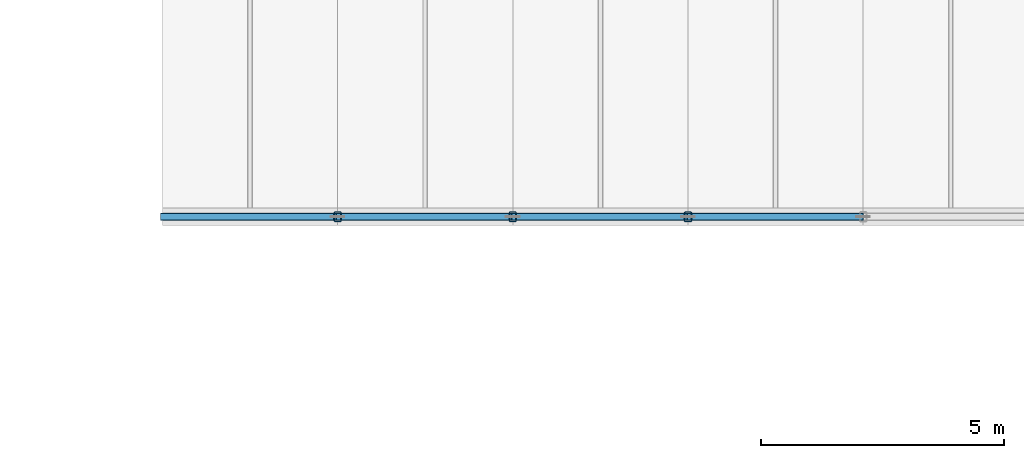
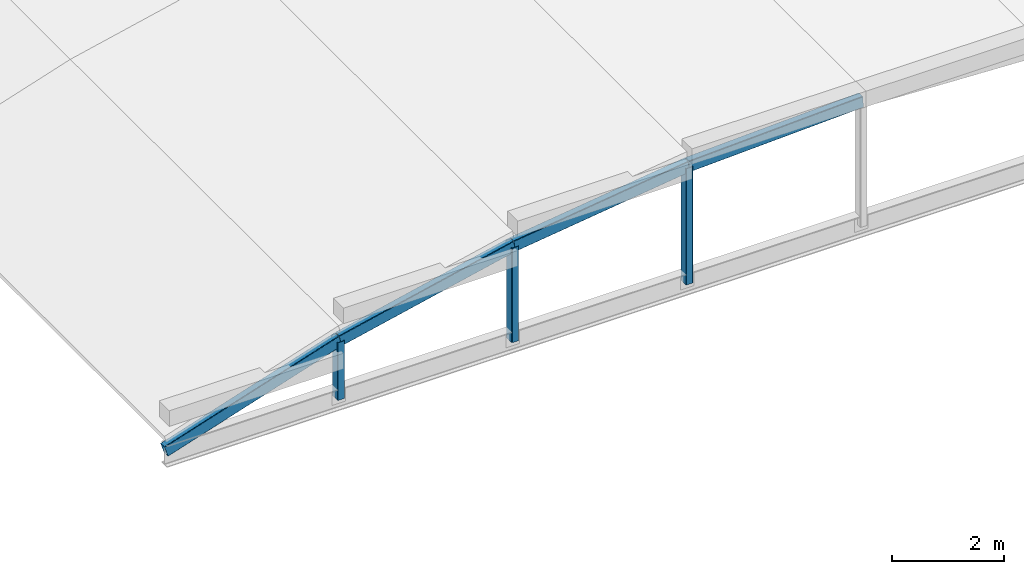
# One storey, part 6 of 70: 7 members.
"""IFC4 building model written with IfcOpenShell, lengths in metres."""

from ifc_helpers import new_model, si_unit, direction, frame, origin, origin_2d, place, context, subcontext, project, spatial, hollow_rectangle, extrude, material, material_profile, profile_set, type_object, element, save


model = new_model("IFC4")

# Units and contexts
model_context = context("Model", 3, precision=1e-05, world=origin(), true_north=direction((0.0, 1.0)))
body_context = subcontext(model_context, "Body", "Model", "MODEL_VIEW")
ifc_project = project(units=[si_unit("LENGTHUNIT", "METRE"), si_unit("AREAUNIT", "SQUARE_METRE"), si_unit("VOLUMEUNIT", "CUBIC_METRE"), si_unit("PLANEANGLEUNIT", "RADIAN"), si_unit("MASSUNIT", "GRAM", prefix="KILO")], contexts=[model_context])

# Site, building, storey
site_placement = place(None, origin())
site = spatial("IfcSite", under=ifc_project, at=site_placement, CompositionType="ELEMENT")
building_placement = place(site_placement, origin())
building = spatial("IfcBuilding", under=site, at=building_placement, Name="Mavantir Sound Aquarium", CompositionType="ELEMENT")
storey_placement = place(building_placement, frame((0.0, 0.0, 27.0)))
storey = spatial("IfcBuildingStorey", under=building, at=storey_placement, Name="RF", CompositionType="ELEMENT", Elevation=27.0)

# Members
ifc_material = material(Name="Hollow Structural Steel ASTM A500 GrC", Category="steel")
ifc_material_profile_1 = material_profile(ifc_material, hollow_rectangle(XDim=0.14990234375, YDim=0.25, WallThickness=0.010009765625, InnerFilletRadius=0.010009765625, OuterFilletRadius=0.02001953125, at=origin_2d()), Name="RHS 250X150X10")
ifc_profile_set_1 = profile_set([ifc_material_profile_1], Name="Hollow Structural Steel ASTM A500 GrC")
member_type_1 = type_object("IfcMemberType", Name="MEM-AR-RHS250", PredefinedType="CHORD", material=ifc_profile_set_1)
member_1_placement = place(storey_placement, frame((67.199951171875, 14.39990234375, -16.6298828125), z_axis=(0.951949270462, 0.0, 0.306255753362), x_axis=(0.0, 1.0, 0.0)))
element("IfcMember", 1, at=member_1_placement, inside=storey, type_object=member_type_1, Name="V7 entry vault arch rib 50", PredefinedType="CHORD", context=body_context, shape_type="SweptSolid", body=[
    extrude(hollow_rectangle(XDim=0.14990234375, YDim=0.25, WallThickness=0.010009765625, InnerFilletRadius=0.010009765625, OuterFilletRadius=0.02001953125, at=origin_2d()), origin(), (0.0, 0.0, 1.0), 3.78173828125),
])
member_2_placement = place(storey_placement, frame((70.800048828125, 14.39990234375, -15.4716796875), z_axis=(0.975760104728, 0.0, 0.218842907178), x_axis=(0.0, 1.0, 0.0)))
element("IfcMember", 2, at=member_2_placement, inside=storey, type_object=member_type_1, Name="V7 entry vault arch rib 51", PredefinedType="CHORD", context=body_context, shape_type="SweptSolid", body=[
    extrude(hollow_rectangle(XDim=0.14990234375, YDim=0.25, WallThickness=0.010009765625, InnerFilletRadius=0.010009765625, OuterFilletRadius=0.02001953125, at=origin_2d()), origin(), (0.0, 0.0, 1.0), 3.689208984375),
])
member_3_placement = place(storey_placement, frame((74.39990234375, 14.39990234375, -14.664306640625), z_axis=(0.991351936589, 0.0, 0.131230094956), x_axis=(0.0, 1.0, 0.0)))
element("IfcMember", 3, at=member_3_placement, inside=storey, type_object=member_type_1, Name="V7 entry vault arch rib 53", PredefinedType="CHORD", context=body_context, shape_type="SweptSolid", body=[
    extrude(hollow_rectangle(XDim=0.14990234375, YDim=0.25, WallThickness=0.010009765625, InnerFilletRadius=0.010009765625, OuterFilletRadius=0.02001953125, at=origin_2d()), origin(), (0.0, 0.0, 1.0), 3.631591796875),
])
member_4_placement = place(storey_placement, frame((78.0, 14.39990234375, -14.187744140625), z_axis=(0.999041787102, 0.0, 0.043766512578), x_axis=(0.0, 1.0, 0.0)))
element("IfcMember", 4, at=member_4_placement, inside=storey, type_object=member_type_1, Name="V7 entry vault arch rib 55", PredefinedType="CHORD", context=body_context, shape_type="SweptSolid", body=[
    extrude(hollow_rectangle(XDim=0.14990234375, YDim=0.25, WallThickness=0.010009765625, InnerFilletRadius=0.010009765625, OuterFilletRadius=0.02001953125, at=origin_2d()), origin(), (0.0, 0.0, 1.0), 3.603515625),
])
ifc_material_profile_2 = material_profile(ifc_material, hollow_rectangle(XDim=0.14990234375, YDim=0.199951171875, WallThickness=0.010009765625, InnerFilletRadius=0.010009765625, OuterFilletRadius=0.02001953125, at=origin_2d()), Name="RHS 200X150X10")
ifc_profile_set_2 = profile_set([ifc_material_profile_2], Name="Hollow Structural Steel ASTM A500 GrC")
member_type_2 = type_object("IfcMemberType", Name="MEM-BR-RHS200", PredefinedType="BRACE", material=ifc_profile_set_2)
member_5_placement = place(storey_placement, frame((70.800048828125, 14.39990234375, -16.72998046875), z_axis=(0.0, 0.0, 1.0), x_axis=(1.0, 0.0, 0.0)))
element("IfcMember", 5, at=member_5_placement, inside=storey, type_object=member_type_2, Name="Steel truss web brace 52", PredefinedType="BRACE", context=body_context, shape_type="SweptSolid", body=[
    extrude(hollow_rectangle(XDim=0.14990234375, YDim=0.199951171875, WallThickness=0.010009765625, InnerFilletRadius=0.010009765625, OuterFilletRadius=0.02001953125, at=origin_2d()), origin(), (0.0, 0.0, 1.0), 1.25830078125),
])
member_6_placement = place(storey_placement, frame((74.39990234375, 14.39990234375, -16.72998046875), z_axis=(0.0, 0.0, 1.0), x_axis=(1.0, 0.0, 0.0)))
element("IfcMember", 6, at=member_6_placement, inside=storey, type_object=member_type_2, Name="Steel truss web brace 54", PredefinedType="BRACE", context=body_context, shape_type="SweptSolid", body=[
    extrude(hollow_rectangle(XDim=0.14990234375, YDim=0.199951171875, WallThickness=0.010009765625, InnerFilletRadius=0.010009765625, OuterFilletRadius=0.02001953125, at=origin_2d()), origin(), (0.0, 0.0, 1.0), 2.065673828125),
])
member_7_placement = place(storey_placement, frame((78.0, 14.39990234375, -16.72998046875), z_axis=(0.0, 0.0, 1.0), x_axis=(1.0, 0.0, 0.0)))
element("IfcMember", 7, at=member_7_placement, inside=storey, type_object=member_type_2, Name="Steel truss web brace 56", PredefinedType="BRACE", context=body_context, shape_type="SweptSolid", body=[
    extrude(hollow_rectangle(XDim=0.14990234375, YDim=0.199951171875, WallThickness=0.010009765625, InnerFilletRadius=0.010009765625, OuterFilletRadius=0.02001953125, at=origin_2d()), origin(), (0.0, 0.0, 1.0), 2.542236328125),
])

save(model, "model.ifc")
